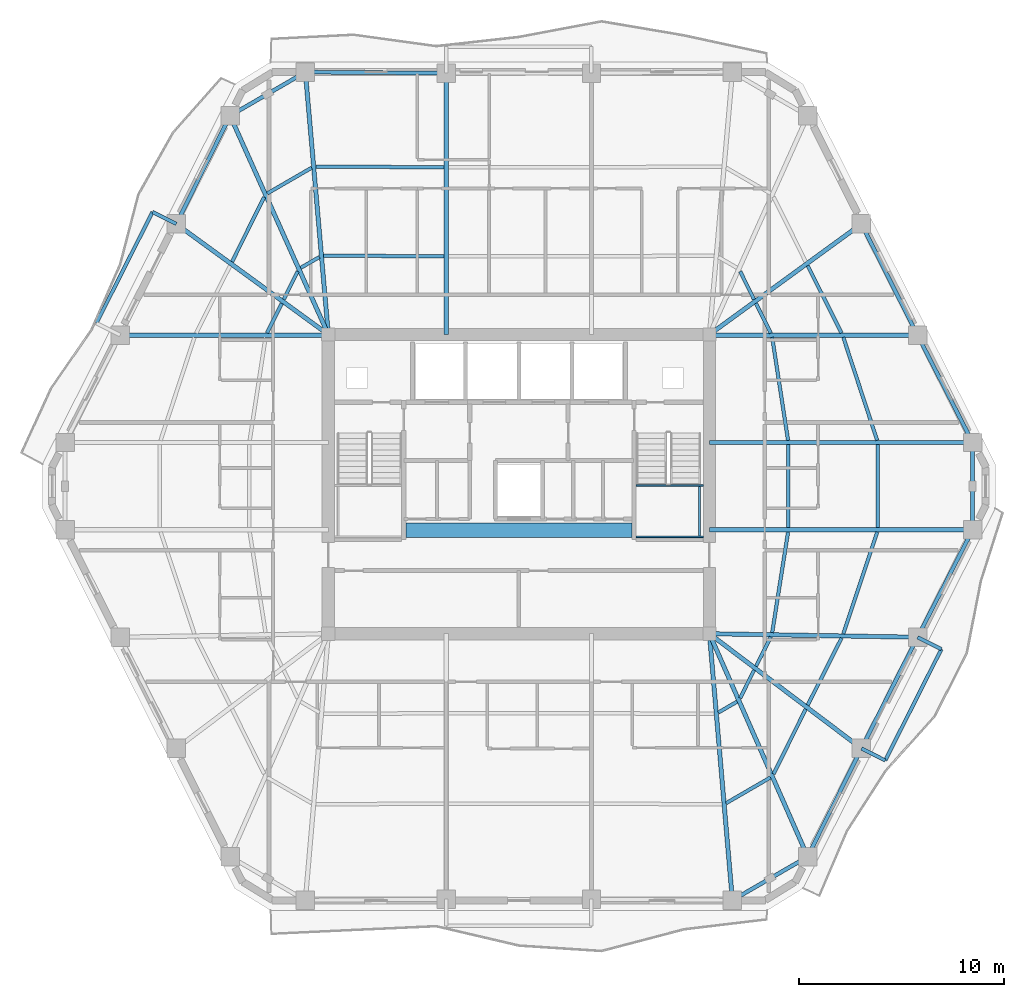
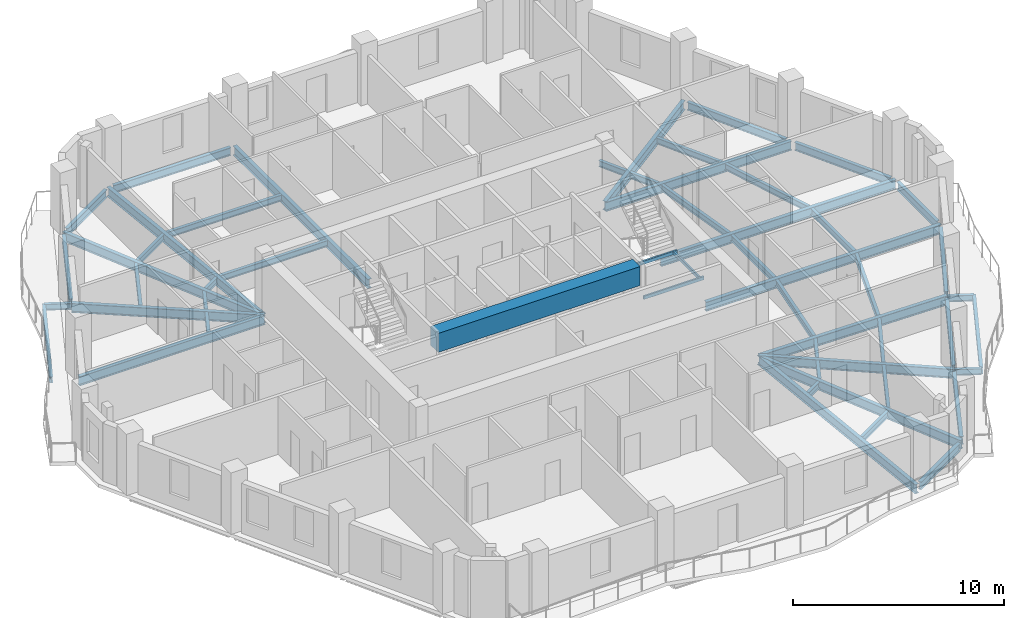
# One storey, part 2 of 10: 54 beams.
"""IFC4 building model written with IfcOpenShell, lengths in metres."""

from ifc_helpers import new_model, si_unit, direction, frame, origin, origin_2d, place, context, subcontext, project, spatial, rectangle, hollow_rectangle, i_section, extrude, material, material_profile, profile_set, type_object, element, save


model = new_model("IFC4")

# Units and contexts
model_context = context("Model", 3, precision=1e-05, world=origin(), true_north=direction((0.0, 1.0)))
body_context = subcontext(model_context, "Body", "Model", "MODEL_VIEW")
ifc_project = project(units=[si_unit("LENGTHUNIT", "METRE"), si_unit("AREAUNIT", "SQUARE_METRE"), si_unit("VOLUMEUNIT", "CUBIC_METRE"), si_unit("PLANEANGLEUNIT", "RADIAN"), si_unit("MASSUNIT", "GRAM", prefix="KILO")], contexts=[model_context])

# Site, building, storey
site_placement = place(None, origin())
site = spatial("IfcSite", under=ifc_project, at=site_placement, CompositionType="ELEMENT")
building_placement = place(site_placement, origin())
building = spatial("IfcBuilding", under=site, at=building_placement, Name="Cinnabar Lancet Tower", CompositionType="ELEMENT")
storey_placement = place(building_placement, frame((0.0, 0.0, 203.85009765625)))
storey = spatial("IfcBuildingStorey", under=building, at=storey_placement, Name="L54", CompositionType="ELEMENT", Elevation=203.85009765625)

# Beams
ifc_material_1 = material(Name="Concrete C70/85", Category="concrete")
ifc_material_profile_1 = material_profile(ifc_material_1, rectangle(XDim=0.699951171875, YDim=1.10009765625, at=origin_2d()), Name="RC-CB 700x1100")
ifc_profile_set_1 = profile_set([ifc_material_profile_1], Name="Concrete C70/85")
beam_type_1 = type_object("IfcBeamType", Name="STR-BM-CB-1100", PredefinedType="BEAM", material=ifc_profile_set_1)
beam_1_placement = place(storey_placement, frame((26.8798828125, 23.64990234375, 2.7998046875), z_axis=(1.0, 0.0, 0.0), x_axis=(0.0, 1.0, 0.0)))
element("IfcBeam", 1, at=beam_1_placement, inside=storey, type_object=beam_type_1, Name="L54 Core Coupling Beam", PredefinedType="BEAM", context=body_context, shape_type="SweptSolid", body=[
    extrude(rectangle(XDim=0.699951171875, YDim=1.10009765625, at=origin_2d()), origin(), (0.0, 0.0, 1.0), 11.0400390625),
])
ifc_material_2 = material(Name="Structural steel S355", Category="steel")
ifc_material_profile_2 = material_profile(ifc_material_2, i_section(OverallWidth=0.17138671875, OverallDepth=0.35498046875, WebThickness=0.00732421875, FlangeThickness=0.011474609375, FilletRadius=0.01025390625, at=origin_2d()), Name="UKB 356x171x51")
ifc_profile_set_2 = profile_set([ifc_material_profile_2], Name="Structural steel S355")
beam_type_2 = type_object("IfcBeamType", Name="STR-BM-JST-356", PredefinedType="JOIST", material=ifc_profile_set_2)
beam_2_placement = place(storey_placement, frame((42.51708984375, 10.3310546875, -0.378173828125), z_axis=(0.865267839663, 0.501309849937, 0.0), x_axis=(-0.501309849937, 0.865267839663, 0.0)))
element("IfcBeam", 2, at=beam_2_placement, inside=storey, type_object=beam_type_2, Name="L54 Secondary Floor Joist 15", PredefinedType="JOIST", context=body_context, shape_type="SweptSolid", body=[
    extrude(i_section(OverallWidth=0.17138671875, OverallDepth=0.35498046875, WebThickness=0.00732421875, FlangeThickness=0.011474609375, FilletRadius=0.01025390625, at=origin_2d()), origin(), (0.0, 0.0, 1.0), 2.497314453125),
])
beam_3_placement = place(storey_placement, frame((42.135986328125, 14.7548828125, -0.378173828125), z_axis=(0.8651881055, 0.501447446998, 0.0), x_axis=(-0.501447446998, 0.8651881055, 0.0)))
element("IfcBeam", 3, at=beam_3_placement, inside=storey, type_object=beam_type_2, Name="L54 Secondary Floor Joist 16", PredefinedType="JOIST", context=body_context, shape_type="SweptSolid", body=[
    extrude(i_section(OverallWidth=0.17138671875, OverallDepth=0.35498046875, WebThickness=0.00732421875, FlangeThickness=0.011474609375, FilletRadius=0.01025390625, at=origin_2d()), origin(), (0.0, 0.0, 1.0), 1.05322265625),
])
beam_4_placement = place(storey_placement, frame((44.8291015625, 11.758056640625, -0.378173828125), z_axis=(0.445027906173, 0.895516701534, 0.0), x_axis=(-0.895516701534, 0.445027906173, 0.0)))
element("IfcBeam", 4, at=beam_4_placement, inside=storey, type_object=beam_type_2, Name="L54 Secondary Floor Joist 17", PredefinedType="JOIST", context=body_context, shape_type="SweptSolid", body=[
    extrude(i_section(OverallWidth=0.17138671875, OverallDepth=0.35498046875, WebThickness=0.00732421875, FlangeThickness=0.011474609375, FilletRadius=0.01025390625, at=origin_2d()), origin(), (0.0, 0.0, 1.0), 3.531982421875),
])
beam_5_placement = place(storey_placement, frame((43.198974609375, 15.45703125, -0.378173828125), z_axis=(0.444589856968, 0.895734256954, 0.0), x_axis=(-0.895734256954, 0.444589856968, 0.0)))
element("IfcBeam", 5, at=beam_5_placement, inside=storey, type_object=beam_type_2, Name="L54 Secondary Floor Joist 18", PredefinedType="JOIST", context=body_context, shape_type="SweptSolid", body=[
    extrude(i_section(OverallWidth=0.17138671875, OverallDepth=0.35498046875, WebThickness=0.00732421875, FlangeThickness=0.011474609375, FilletRadius=0.01025390625, at=origin_2d()), origin(), (0.0, 0.0, 1.0), 1.527099609375),
])
beam_6_placement = place(storey_placement, frame((46.49609375, 15.112060546875, -0.378173828125), z_axis=(0.450564728728, 0.892743762357, 0.0), x_axis=(-0.892743762357, 0.450564728728, 0.0)))
element("IfcBeam", 6, at=beam_6_placement, inside=storey, type_object=beam_type_2, Name="L54 Secondary Floor Joist 19", PredefinedType="JOIST", context=body_context, shape_type="SweptSolid", body=[
    extrude(i_section(OverallWidth=0.17138671875, OverallDepth=0.35498046875, WebThickness=0.00732421875, FlangeThickness=0.011474609375, FilletRadius=0.01025390625, at=origin_2d()), origin(), (0.0, 0.0, 1.0), 3.66845703125),
])
beam_7_placement = place(storey_placement, frame((43.97412109375, 17.014892578125, -0.378173828125), z_axis=(0.450137936259, 0.892959035085, 0.0), x_axis=(-0.892959035085, 0.450137936259, 0.0)))
element("IfcBeam", 7, at=beam_7_placement, inside=storey, type_object=beam_type_2, Name="L54 Secondary Floor Joist 20", PredefinedType="JOIST", context=body_context, shape_type="SweptSolid", body=[
    extrude(i_section(OverallWidth=0.17138671875, OverallDepth=0.35498046875, WebThickness=0.00732421875, FlangeThickness=0.011474609375, FilletRadius=0.01025390625, at=origin_2d()), origin(), (0.0, 0.0, 1.0), 1.6015625),
])
beam_8_placement = place(storey_placement, frame((48.236083984375, 18.594970703125, -0.378173828125), z_axis=(0.315346227037, 0.948976689436, 0.0), x_axis=(-0.948976689436, 0.315346227037, 0.0)))
element("IfcBeam", 8, at=beam_8_placement, inside=storey, type_object=beam_type_2, Name="L54 Secondary Floor Joist 21", PredefinedType="JOIST", context=body_context, shape_type="SweptSolid", body=[
    extrude(i_section(OverallWidth=0.17138671875, OverallDepth=0.35498046875, WebThickness=0.00732421875, FlangeThickness=0.011474609375, FilletRadius=0.01025390625, at=origin_2d()), origin(), (0.0, 0.0, 1.0), 5.235107421875),
])
beam_9_placement = place(storey_placement, frame((44.763916015625, 18.653076171875, -0.378173828125), z_axis=(0.155750702097, 0.987796395416, 0.0), x_axis=(-0.987796395416, 0.155750702097, 0.0)))
element("IfcBeam", 9, at=beam_9_placement, inside=storey, type_object=beam_type_2, Name="L54 Secondary Floor Joist 22", PredefinedType="JOIST", context=body_context, shape_type="SweptSolid", body=[
    extrude(i_section(OverallWidth=0.17138671875, OverallDepth=0.35498046875, WebThickness=0.00732421875, FlangeThickness=0.011474609375, FilletRadius=0.01025390625, at=origin_2d()), origin(), (0.0, 0.0, 1.0), 4.970458984375),
])
for number, where, z_axis, x_axis, name in (
    (10, (49.922119140625, 23.77294921875, -0.378173828125), (0.0, 1.0, 0.0), (-1.0, 0.0, 0.0), "L54 Secondary Floor Joist 23"),
    (11, (45.553955078125, 23.77294921875, -0.378173828125), (0.0, 1.0, 0.0), (-1.0, 0.0, 0.0), "L54 Secondary Floor Joist 24"),
):
    element("IfcBeam", number, at=place(storey_placement, frame(where, z_axis=z_axis, x_axis=x_axis)), inside=storey, type_object=beam_type_2, Name=name, PredefinedType="JOIST", context=body_context, shape_type="SweptSolid", body=[
        extrude(i_section(OverallWidth=0.17138671875, OverallDepth=0.35498046875, WebThickness=0.00732421875, FlangeThickness=0.011474609375, FilletRadius=0.01025390625, at=origin_2d()), origin(), (0.0, 0.0, 1.0), 4.053955078125),
    ])
beam_10_placement = place(storey_placement, frame((49.887939453125, 28.037109375, -0.378173828125), z_axis=(-0.312240109925, 0.95000321776, 0.0), x_axis=(-0.95000321776, -0.312240109925, 0.0)))
element("IfcBeam", 12, at=beam_10_placement, inside=storey, type_object=beam_type_2, Name="L54 Secondary Floor Joist 25", PredefinedType="JOIST", context=body_context, shape_type="SweptSolid", body=[
    extrude(i_section(OverallWidth=0.17138671875, OverallDepth=0.35498046875, WebThickness=0.00732421875, FlangeThickness=0.011474609375, FilletRadius=0.01025390625, at=origin_2d()), origin(), (0.0, 0.0, 1.0), 5.29345703125),
])
beam_11_placement = place(storey_placement, frame((45.5380859375, 28.037109375, -0.378173828125), z_axis=(-0.152154536592, 0.98835671546, 0.0), x_axis=(-0.98835671546, -0.152154536592, 0.0)))
element("IfcBeam", 13, at=beam_11_placement, inside=storey, type_object=beam_type_2, Name="L54 Secondary Floor Joist 26", PredefinedType="JOIST", context=body_context, shape_type="SweptSolid", body=[
    extrude(i_section(OverallWidth=0.17138671875, OverallDepth=0.35498046875, WebThickness=0.00732421875, FlangeThickness=0.011474609375, FilletRadius=0.01025390625, at=origin_2d()), origin(), (0.0, 0.0, 1.0), 5.088134765625),
])
beam_12_placement = place(storey_placement, frame((48.14794921875, 33.27587890625, -0.378173828125), z_axis=(-0.449230875134, 0.893415704376, 0.0), x_axis=(-0.893415704376, -0.449230875134, 0.0)))
element("IfcBeam", 14, at=beam_12_placement, inside=storey, type_object=beam_type_2, Name="L54 Secondary Floor Joist 27", PredefinedType="JOIST", context=body_context, shape_type="SweptSolid", body=[
    extrude(i_section(OverallWidth=0.17138671875, OverallDepth=0.35498046875, WebThickness=0.00732421875, FlangeThickness=0.011474609375, FilletRadius=0.01025390625, at=origin_2d()), origin(), (0.0, 0.0, 1.0), 3.677001953125),
])
beam_13_placement = place(storey_placement, frame((44.695068359375, 33.27587890625, -0.378173828125), z_axis=(-0.446006949597, 0.89502949723, 0.0), x_axis=(-0.89502949723, -0.446006949597, 0.0)))
element("IfcBeam", 15, at=beam_13_placement, inside=storey, type_object=beam_type_2, Name="L54 Secondary Floor Joist 28", PredefinedType="JOIST", context=body_context, shape_type="SweptSolid", body=[
    extrude(i_section(OverallWidth=0.17138671875, OverallDepth=0.35498046875, WebThickness=0.00732421875, FlangeThickness=0.011474609375, FilletRadius=0.01025390625, at=origin_2d()), origin(), (0.0, 0.0, 1.0), 1.619140625),
])
beam_14_placement = place(storey_placement, frame((43.8779296875, 34.9150390625, -0.378173828125), z_axis=(-0.444589856968, 0.895734256954, 0.0), x_axis=(-0.895734256954, -0.444589856968, 0.0)))
element("IfcBeam", 16, at=beam_14_placement, inside=storey, type_object=beam_type_2, Name="L54 Secondary Floor Joist 30", PredefinedType="JOIST", context=body_context, shape_type="SweptSolid", body=[
    extrude(i_section(OverallWidth=0.17138671875, OverallDepth=0.35498046875, WebThickness=0.00732421875, FlangeThickness=0.011474609375, FilletRadius=0.01025390625, at=origin_2d()), origin(), (0.0, 0.0, 1.0), 1.527099609375),
])
beam_15_placement = place(storey_placement, frame((28.751953125, 41.365966796875, -0.378173828125), z_axis=(-0.999986965561, 0.005105752523, 0.0), x_axis=(-0.005105752523, -0.999986965561, 0.0)))
element("IfcBeam", 17, at=beam_15_placement, inside=storey, type_object=beam_type_2, Name="L54 Secondary Floor Joist 37", PredefinedType="JOIST", context=body_context, shape_type="SweptSolid", body=[
    extrude(i_section(OverallWidth=0.17138671875, OverallDepth=0.35498046875, WebThickness=0.00732421875, FlangeThickness=0.011474609375, FilletRadius=0.01025390625, at=origin_2d()), origin(), (0.0, 0.0, 1.0), 6.263916015625),
])
beam_16_placement = place(storey_placement, frame((28.751953125, 37.028076171875, -0.378173828125), z_axis=(-0.999996795933, 0.002531427338, 0.0), x_axis=(-0.002531427338, -0.999996795933, 0.0)))
element("IfcBeam", 18, at=beam_16_placement, inside=storey, type_object=beam_type_2, Name="L54 Secondary Floor Joist 38", PredefinedType="JOIST", context=body_context, shape_type="SweptSolid", body=[
    extrude(i_section(OverallWidth=0.17138671875, OverallDepth=0.35498046875, WebThickness=0.00732421875, FlangeThickness=0.011474609375, FilletRadius=0.01025390625, at=origin_2d()), origin(), (0.0, 0.0, 1.0), 5.883056640625),
])
beam_17_placement = place(storey_placement, frame((22.282958984375, 41.341064453125, -0.378173828125), z_axis=(-0.865267839663, -0.501309849937, 0.0), x_axis=(0.501309849937, -0.865267839663, 0.0)))
element("IfcBeam", 19, at=beam_17_placement, inside=storey, type_object=beam_type_2, Name="L54 Secondary Floor Joist 39", PredefinedType="JOIST", context=body_context, shape_type="SweptSolid", body=[
    extrude(i_section(OverallWidth=0.17138671875, OverallDepth=0.35498046875, WebThickness=0.00732421875, FlangeThickness=0.011474609375, FilletRadius=0.01025390625, at=origin_2d()), origin(), (0.0, 0.0, 1.0), 2.497314453125),
])
beam_18_placement = place(storey_placement, frame((22.6640625, 36.985107421875, -0.378173828125), z_axis=(-0.8651881055, -0.501447446998, 0.0), x_axis=(0.501447446998, -0.8651881055, 0.0)))
element("IfcBeam", 20, at=beam_18_placement, inside=storey, type_object=beam_type_2, Name="L54 Secondary Floor Joist 40", PredefinedType="JOIST", context=body_context, shape_type="SweptSolid", body=[
    extrude(i_section(OverallWidth=0.17138671875, OverallDepth=0.35498046875, WebThickness=0.00732421875, FlangeThickness=0.011474609375, FilletRadius=0.01025390625, at=origin_2d()), origin(), (0.0, 0.0, 1.0), 1.05322265625),
])
beam_19_placement = place(storey_placement, frame((19.970947265625, 39.9150390625, -0.378173828125), z_axis=(-0.444835507887, -0.895612288283, 0.0), x_axis=(0.895612288283, -0.444835507887, 0.0)))
element("IfcBeam", 21, at=beam_19_placement, inside=storey, type_object=beam_type_2, Name="L54 Secondary Floor Joist 41", PredefinedType="JOIST", context=body_context, shape_type="SweptSolid", body=[
    extrude(i_section(OverallWidth=0.17138671875, OverallDepth=0.35498046875, WebThickness=0.00732421875, FlangeThickness=0.011474609375, FilletRadius=0.01025390625, at=origin_2d()), origin(), (0.0, 0.0, 1.0), 3.533935546875),
])
beam_20_placement = place(storey_placement, frame((21.60107421875, 36.282958984375, -0.378173828125), z_axis=(-0.444589856968, -0.895734256954, 0.0), x_axis=(0.895734256954, -0.444589856968, 0.0)))
element("IfcBeam", 22, at=beam_20_placement, inside=storey, type_object=beam_type_2, Name="L54 Secondary Floor Joist 42", PredefinedType="JOIST", context=body_context, shape_type="SweptSolid", body=[
    extrude(i_section(OverallWidth=0.17138671875, OverallDepth=0.35498046875, WebThickness=0.00732421875, FlangeThickness=0.011474609375, FilletRadius=0.01025390625, at=origin_2d()), origin(), (0.0, 0.0, 1.0), 1.527099609375),
])
beam_21_placement = place(storey_placement, frame((20.826904296875, 34.72509765625, -0.378173828125), z_axis=(-0.44588615098, -0.895089682861, 0.0), x_axis=(0.895089682861, -0.44588615098, 0.0)))
element("IfcBeam", 23, at=beam_21_placement, inside=storey, type_object=beam_type_2, Name="L54 Secondary Floor Joist 44", PredefinedType="JOIST", context=body_context, shape_type="SweptSolid", body=[
    extrude(i_section(OverallWidth=0.17138671875, OverallDepth=0.35498046875, WebThickness=0.00732421875, FlangeThickness=0.011474609375, FilletRadius=0.01025390625, at=origin_2d()), origin(), (0.0, 0.0, 1.0), 1.619140625),
])
ifc_material_3 = material(Name="Structural steel S355", Category="steel")
ifc_material_profile_3 = material_profile(ifc_material_3, hollow_rectangle(XDim=0.10009765625, YDim=0.199951171875, WallThickness=0.008056640625, InnerFilletRadius=0.00390625, OuterFilletRadius=0.011962890625, at=origin_2d()), Name="RHS 200x100x8")
ifc_profile_set_3 = profile_set([ifc_material_profile_3], Name="Structural steel S355")
beam_type_3 = type_object("IfcBeamType", Name="STR-BM-LND-203", PredefinedType="BEAM", material=ifc_profile_set_3)
for number, where, z_axis, x_axis, name in (
    (24, (38.1201171875, 23.330078125, 1.474853515625), (1.0, 0.0, 0.0), (0.0, 1.0, 0.0), "L54 ST-2-L54 Landing Support Beam S"),
    (25, (38.1201171875, 25.844970703125, 1.474853515625), (1.0, 0.0, 0.0), (0.0, 1.0, 0.0), "L54 ST-2-L54 Landing Support Beam N"),
):
    element("IfcBeam", number, at=place(storey_placement, frame(where, z_axis=z_axis, x_axis=x_axis)), inside=storey, type_object=beam_type_3, Name=name, PredefinedType="BEAM", context=body_context, shape_type="SweptSolid", body=[
        extrude(hollow_rectangle(XDim=0.10009765625, YDim=0.199951171875, WallThickness=0.008056640625, InnerFilletRadius=0.00390625, OuterFilletRadius=0.011962890625, at=origin_2d()), origin(), (0.0, 0.0, 1.0), 3.27978515625),
    ])
beam_22_placement = place(storey_placement, frame((41.219970703125, 23.3798828125, 1.474853515625), z_axis=(0.0, 1.0, 0.0), x_axis=(-1.0, 0.0, 0.0)))
element("IfcBeam", 26, at=beam_22_placement, inside=storey, type_object=beam_type_3, Name="L54 ST-2-L54 Landing Side Trimmer Beam", PredefinedType="BEAM", context=body_context, shape_type="SweptSolid", body=[
    extrude(hollow_rectangle(XDim=0.10009765625, YDim=0.199951171875, WallThickness=0.008056640625, InnerFilletRadius=0.00390625, OuterFilletRadius=0.011962890625, at=origin_2d()), origin(), (0.0, 0.0, 1.0), 2.4150390625),
])
ifc_material_4 = material(Name="Structural steel S355", Category="steel")
ifc_material_profile_4 = material_profile(ifc_material_4, i_section(OverallWidth=0.1904296875, OverallDepth=0.45703125, WebThickness=0.009033203125, FlangeThickness=0.014404296875, FilletRadius=0.01025390625, at=origin_2d()), Name="UKB 457x191x74")
ifc_profile_set_4 = profile_set([ifc_material_profile_4], Name="Structural steel S355")
beam_type_4 = type_object("IfcBeamType", Name="STR-BM-SPN-457", PredefinedType="SPANDREL", material=ifc_profile_set_4)
beam_23_placement = place(storey_placement, frame((43.037109375, 5.714111328125, -0.427978515625), z_axis=(0.865195717586, 0.501434313016, 0.0), x_axis=(-0.501434313016, 0.865195717586, 0.0)))
element("IfcBeam", 27, at=beam_23_placement, inside=storey, type_object=beam_type_4, Name="L54 Perimeter Spandrel 4", PredefinedType="SPANDREL", context=body_context, shape_type="SweptSolid", body=[
    extrude(i_section(OverallWidth=0.1904296875, OverallDepth=0.45703125, WebThickness=0.009033203125, FlangeThickness=0.014404296875, FilletRadius=0.01025390625, at=origin_2d()), origin(), (0.0, 0.0, 1.0), 3.7470703125),
])
beam_24_placement = place(storey_placement, frame((46.60595703125, 7.94189453125, -0.427978515625), z_axis=(0.444914968367, 0.895572817208, 0.0), x_axis=(-0.895572817208, 0.444914968367, 0.0)))
element("IfcBeam", 28, at=beam_24_placement, inside=storey, type_object=beam_type_4, Name="L54 Perimeter Spandrel 5", PredefinedType="SPANDREL", context=body_context, shape_type="SweptSolid", body=[
    extrude(i_section(OverallWidth=0.1904296875, OverallDepth=0.45703125, WebThickness=0.009033203125, FlangeThickness=0.014404296875, FilletRadius=0.01025390625, at=origin_2d()), origin(), (0.0, 0.0, 1.0), 5.39892578125),
])
beam_25_placement = place(storey_placement, frame((49.23193359375, 13.22412109375, -0.427978515625), z_axis=(0.450395996562, 0.892828900899, 0.0), x_axis=(-0.892828900899, 0.450395996562, 0.0)))
element("IfcBeam", 29, at=beam_25_placement, inside=storey, type_object=beam_type_4, Name="L54 Perimeter Spandrel 6", PredefinedType="SPANDREL", context=body_context, shape_type="SweptSolid", body=[
    extrude(i_section(OverallWidth=0.1904296875, OverallDepth=0.45703125, WebThickness=0.009033203125, FlangeThickness=0.014404296875, FilletRadius=0.01025390625, at=origin_2d()), origin(), (0.0, 0.0, 1.0), 5.579833984375),
])
beam_26_placement = place(storey_placement, frame((51.971923828125, 18.65087890625, -0.427978515625), z_axis=(0.456628362232, 0.889657540184, 0.0), x_axis=(-0.889657540184, 0.456628362232, 0.0)))
element("IfcBeam", 30, at=beam_26_placement, inside=storey, type_object=beam_type_4, Name="L54 Perimeter Spandrel 7", PredefinedType="SPANDREL", context=body_context, shape_type="SweptSolid", body=[
    extrude(i_section(OverallWidth=0.1904296875, OverallDepth=0.45703125, WebThickness=0.009033203125, FlangeThickness=0.014404296875, FilletRadius=0.01025390625, at=origin_2d()), origin(), (0.0, 0.0, 1.0), 5.389892578125),
])
beam_27_placement = place(storey_placement, frame((54.547119140625, 23.91796875, -0.427978515625), z_axis=(0.0, 1.0, 0.0), x_axis=(-1.0, 0.0, 0.0)))
element("IfcBeam", 31, at=beam_27_placement, inside=storey, type_object=beam_type_4, Name="L54 Perimeter Spandrel 8", PredefinedType="SPANDREL", context=body_context, shape_type="SweptSolid", body=[
    extrude(i_section(OverallWidth=0.1904296875, OverallDepth=0.45703125, WebThickness=0.009033203125, FlangeThickness=0.014404296875, FilletRadius=0.01025390625, at=origin_2d()), origin(), (0.0, 0.0, 1.0), 3.763916015625),
])
beam_28_placement = place(storey_placement, frame((54.43310546875, 28.154052734375, -0.427978515625), z_axis=(-0.456646764028, 0.889648094981, 0.0), x_axis=(-0.889648094981, -0.456646764028, 0.0)))
element("IfcBeam", 32, at=beam_28_placement, inside=storey, type_object=beam_type_4, Name="L54 Perimeter Spandrel 9", PredefinedType="SPANDREL", context=body_context, shape_type="SweptSolid", body=[
    extrude(i_section(OverallWidth=0.1904296875, OverallDepth=0.45703125, WebThickness=0.009033203125, FlangeThickness=0.014404296875, FilletRadius=0.01025390625, at=origin_2d()), origin(), (0.0, 0.0, 1.0), 5.3896484375),
])
beam_29_placement = place(storey_placement, frame((51.7451171875, 33.39404296875, -0.427978515625), z_axis=(-0.450395996562, 0.892828900899, 0.0), x_axis=(-0.892828900899, -0.450395996562, 0.0)))
element("IfcBeam", 33, at=beam_29_placement, inside=storey, type_object=beam_type_4, Name="L54 Perimeter Spandrel 10", PredefinedType="SPANDREL", context=body_context, shape_type="SweptSolid", body=[
    extrude(i_section(OverallWidth=0.1904296875, OverallDepth=0.45703125, WebThickness=0.009033203125, FlangeThickness=0.014404296875, FilletRadius=0.01025390625, at=origin_2d()), origin(), (0.0, 0.0, 1.0), 5.579833984375),
])
beam_30_placement = place(storey_placement, frame((28.60693359375, 45.9599609375, -0.427978515625), z_axis=(-0.999970401924, 0.007693846685, 0.0), x_axis=(-0.007693846685, -0.999970401924, 0.0)))
element("IfcBeam", 34, at=beam_30_placement, inside=storey, type_object=beam_type_4, Name="L54 Perimeter Spandrel 15", PredefinedType="SPANDREL", context=body_context, shape_type="SweptSolid", body=[
    extrude(i_section(OverallWidth=0.1904296875, OverallDepth=0.45703125, WebThickness=0.009033203125, FlangeThickness=0.014404296875, FilletRadius=0.01025390625, at=origin_2d()), origin(), (0.0, 0.0, 1.0), 6.378173828125),
])
beam_31_placement = place(storey_placement, frame((21.762939453125, 45.885986328125, -0.427978515625), z_axis=(-0.865195717586, -0.501434313016, 0.0), x_axis=(0.501434313016, -0.865195717586, 0.0)))
element("IfcBeam", 35, at=beam_31_placement, inside=storey, type_object=beam_type_4, Name="L54 Perimeter Spandrel 16", PredefinedType="SPANDREL", context=body_context, shape_type="SweptSolid", body=[
    extrude(i_section(OverallWidth=0.1904296875, OverallDepth=0.45703125, WebThickness=0.009033203125, FlangeThickness=0.014404296875, FilletRadius=0.01025390625, at=origin_2d()), origin(), (0.0, 0.0, 1.0), 3.7470703125),
])
beam_32_placement = place(storey_placement, frame((18.194091796875, 43.657958984375, -0.427978515625), z_axis=(-0.444932986899, -0.895563865489, 0.0), x_axis=(0.895563865489, -0.444932986899, 0.0)))
element("IfcBeam", 36, at=beam_32_placement, inside=storey, type_object=beam_type_4, Name="L54 Perimeter Spandrel 17", PredefinedType="SPANDREL", context=body_context, shape_type="SweptSolid", body=[
    extrude(i_section(OverallWidth=0.1904296875, OverallDepth=0.45703125, WebThickness=0.009033203125, FlangeThickness=0.014404296875, FilletRadius=0.01025390625, at=origin_2d()), origin(), (0.0, 0.0, 1.0), 5.398681640625),
])
ifc_material_5 = material(Name="Structural steel S355", Category="steel")
ifc_material_profile_5 = material_profile(ifc_material_5, i_section(OverallWidth=0.209228515625, OverallDepth=0.533203125, WebThickness=0.010009765625, FlangeThickness=0.015625, FilletRadius=0.0126953125, at=origin_2d()), Name="UKB 533x210x92")
ifc_profile_set_5 = profile_set([ifc_material_profile_5], Name="Structural steel S355")
beam_type_5 = type_object("IfcBeamType", Name="STR-BM-UKB533-92", PredefinedType="BEAM", material=ifc_profile_set_5)
beam_33_placement = place(storey_placement, frame((49.118896484375, 13.0009765625, -0.467041015625), z_axis=(-0.798193439732, 0.602401222417, 0.0), x_axis=(-0.602401222417, -0.798193439732, 0.0)))
element("IfcBeam", 37, at=beam_33_placement, inside=storey, type_object=beam_type_5, Name="L54 Corner Collector Girder 2", PredefinedType="BEAM", context=body_context, shape_type="SweptSolid", body=[
    extrude(i_section(OverallWidth=0.209228515625, OverallDepth=0.533203125, WebThickness=0.010009765625, FlangeThickness=0.015625, FilletRadius=0.0126953125, at=origin_2d()), origin(), (0.0, 0.0, 1.0), 9.294677734375),
])
beam_34_placement = place(storey_placement, frame((49.118896484375, 38.59912109375, -0.467041015625), z_axis=(-0.808550797984, -0.588426382039, 0.0), x_axis=(0.588426382039, -0.808550797984, 0.0)))
element("IfcBeam", 38, at=beam_34_placement, inside=storey, type_object=beam_type_5, Name="L54 Corner Collector Girder 3", PredefinedType="BEAM", context=body_context, shape_type="SweptSolid", body=[
    extrude(i_section(OverallWidth=0.209228515625, OverallDepth=0.533203125, WebThickness=0.010009765625, FlangeThickness=0.015625, FilletRadius=0.0126953125, at=origin_2d()), origin(), (0.0, 0.0, 1.0), 9.175537109375),
])
beam_35_placement = place(storey_placement, frame((15.680908203125, 38.59912109375, -0.467041015625), z_axis=(0.80856001044, -0.588413723087, 0.0), x_axis=(0.588413723087, 0.80856001044, 0.0)))
element("IfcBeam", 39, at=beam_35_placement, inside=storey, type_object=beam_type_5, Name="L54 Corner Collector Girder 4", PredefinedType="BEAM", context=body_context, shape_type="SweptSolid", body=[
    extrude(i_section(OverallWidth=0.209228515625, OverallDepth=0.533203125, WebThickness=0.010009765625, FlangeThickness=0.015625, FilletRadius=0.0126953125, at=origin_2d()), origin(), (0.0, 0.0, 1.0), 9.17578125),
])
beam_36_placement = place(storey_placement, frame((42.821044921875, 5.589111328125, -0.467041015625), z_axis=(-0.085847068729, 0.996308326167, 0.0), x_axis=(-0.996308326167, -0.085847068729, 0.0)))
element("IfcBeam", 40, at=beam_36_placement, inside=storey, type_object=beam_type_5, Name="L54 Primary Floor Girder 4", PredefinedType="BEAM", context=body_context, shape_type="SweptSolid", body=[
    extrude(i_section(OverallWidth=0.209228515625, OverallDepth=0.533203125, WebThickness=0.010009765625, FlangeThickness=0.015625, FilletRadius=0.0126953125, at=origin_2d()), origin(), (0.0, 0.0, 1.0), 13.05908203125),
])
beam_37_placement = place(storey_placement, frame((46.4951171875, 7.718017578125, -0.467041015625), z_axis=(-0.403235299754, 0.915096329919, 0.0), x_axis=(-0.915096329919, -0.403235299754, 0.0)))
element("IfcBeam", 41, at=beam_37_placement, inside=storey, type_object=beam_type_5, Name="L54 Primary Floor Girder 5", PredefinedType="BEAM", context=body_context, shape_type="SweptSolid", body=[
    extrude(i_section(OverallWidth=0.209228515625, OverallDepth=0.533203125, WebThickness=0.010009765625, FlangeThickness=0.015625, FilletRadius=0.0126953125, at=origin_2d()), origin(), (0.0, 0.0, 1.0), 11.891845703125),
])
beam_38_placement = place(storey_placement, frame((51.85791015625, 18.428955078125, -0.467041015625), z_axis=(-0.999858100525, 0.016845735777, 0.0), x_axis=(-0.016845735777, -0.999858100525, 0.0)))
element("IfcBeam", 42, at=beam_38_placement, inside=storey, type_object=beam_type_5, Name="L54 Primary Floor Girder 7", PredefinedType="BEAM", context=body_context, shape_type="SweptSolid", body=[
    extrude(i_section(OverallWidth=0.209228515625, OverallDepth=0.533203125, WebThickness=0.010009765625, FlangeThickness=0.015625, FilletRadius=0.0126953125, at=origin_2d()), origin(), (0.0, 0.0, 1.0), 10.159423828125),
])
for number, where, z_axis, x_axis, name in (
    (43, (54.547119140625, 23.66796875, -0.467041015625), (-1.0, 0.0, 0.0), (0.0, -1.0, 0.0), "L54 Primary Floor Girder 8"),
    (44, (54.547119140625, 27.931884765625, -0.467041015625), (-1.0, 0.0, 0.0), (0.0, -1.0, 0.0), "L54 Primary Floor Girder 9"),
):
    element("IfcBeam", number, at=place(storey_placement, frame(where, z_axis=z_axis, x_axis=x_axis)), inside=storey, type_object=beam_type_5, Name=name, PredefinedType="BEAM", context=body_context, shape_type="SweptSolid", body=[
        extrude(i_section(OverallWidth=0.209228515625, OverallDepth=0.533203125, WebThickness=0.010009765625, FlangeThickness=0.015625, FilletRadius=0.0126953125, at=origin_2d()), origin(), (0.0, 0.0, 1.0), 12.84716796875),
    ])
beam_39_placement = place(storey_placement, frame((51.85791015625, 33.1708984375, -0.467041015625), z_axis=(-1.0, 0.0, 0.0), x_axis=(0.0, -1.0, 0.0)))
element("IfcBeam", 45, at=beam_39_placement, inside=storey, type_object=beam_type_5, Name="L54 Primary Floor Girder 10", PredefinedType="BEAM", context=body_context, shape_type="SweptSolid", body=[
    extrude(i_section(OverallWidth=0.209228515625, OverallDepth=0.533203125, WebThickness=0.010009765625, FlangeThickness=0.015625, FilletRadius=0.0126953125, at=origin_2d()), origin(), (0.0, 0.0, 1.0), 10.157958984375),
])
beam_40_placement = place(storey_placement, frame((28.85693359375, 45.9580078125, -0.467041015625), z_axis=(0.0, -1.0, 0.0), x_axis=(1.0, 0.0, 0.0)))
element("IfcBeam", 46, at=beam_40_placement, inside=storey, type_object=beam_type_5, Name="L54 Primary Floor Girder 15", PredefinedType="BEAM", context=body_context, shape_type="SweptSolid", body=[
    extrude(i_section(OverallWidth=0.209228515625, OverallDepth=0.533203125, WebThickness=0.010009765625, FlangeThickness=0.015625, FilletRadius=0.0126953125, at=origin_2d()), origin(), (0.0, 0.0, 1.0), 12.758056640625),
])
beam_41_placement = place(storey_placement, frame((21.97900390625, 46.010986328125, -0.467041015625), z_axis=(0.087176841412, -0.996192851973, 0.0), x_axis=(0.996192851973, 0.087176841412, 0.0)))
element("IfcBeam", 47, at=beam_41_placement, inside=storey, type_object=beam_type_5, Name="L54 Primary Floor Girder 16", PredefinedType="BEAM", context=body_context, shape_type="SweptSolid", body=[
    extrude(i_section(OverallWidth=0.209228515625, OverallDepth=0.533203125, WebThickness=0.010009765625, FlangeThickness=0.015625, FilletRadius=0.0126953125, at=origin_2d()), origin(), (0.0, 0.0, 1.0), 12.860107421875),
])
beam_42_placement = place(storey_placement, frame((18.304931640625, 43.882080078125, -0.467041015625), z_axis=(0.409527011626, -0.912297992297, 0.0), x_axis=(0.912297992297, 0.409527011626, 0.0)))
element("IfcBeam", 48, at=beam_42_placement, inside=storey, type_object=beam_type_5, Name="L54 Primary Floor Girder 17", PredefinedType="BEAM", context=body_context, shape_type="SweptSolid", body=[
    extrude(i_section(OverallWidth=0.209228515625, OverallDepth=0.533203125, WebThickness=0.010009765625, FlangeThickness=0.015625, FilletRadius=0.0126953125, at=origin_2d()), origin(), (0.0, 0.0, 1.0), 11.708984375),
])
beam_43_placement = place(storey_placement, frame((12.94189453125, 33.1708984375, -0.467041015625), z_axis=(1.0, 0.0, 0.0), x_axis=(0.0, 1.0, 0.0)))
element("IfcBeam", 49, at=beam_43_placement, inside=storey, type_object=beam_type_5, Name="L54 Primary Floor Girder 19", PredefinedType="BEAM", context=body_context, shape_type="SweptSolid", body=[
    extrude(i_section(OverallWidth=0.209228515625, OverallDepth=0.533203125, WebThickness=0.010009765625, FlangeThickness=0.015625, FilletRadius=0.0126953125, at=origin_2d()), origin(), (0.0, 0.0, 1.0), 10.158203125),
])
ifc_material_6 = material(Name="Structural steel S355", Category="steel")
ifc_material_profile_6 = material_profile(ifc_material_6, i_section(OverallWidth=0.17138671875, OverallDepth=0.35498046875, WebThickness=0.00732421875, FlangeThickness=0.011474609375, FilletRadius=0.01025390625, at=origin_2d()), Name="UKB 356x171x51")
ifc_profile_set_6 = profile_set([ifc_material_profile_6], Name="Structural steel S355")
beam_type_6 = type_object("IfcBeamType", Name="STR-BM-WAV-OUT", PredefinedType="BEAM", material=ifc_profile_set_6)
for number, where, z_axis, x_axis, name in (
    (50, (49.118896484375, 13.0009765625, -0.398193359375), (0.892314203325, -0.451414845285, 0.0), (0.451414845285, 0.892314203325, 0.0), "L54 Face 2 Balcony Outlooker A"),
    (51, (51.85791015625, 18.428955078125, -0.398193359375), (0.892314203325, -0.451414845285, 0.0), (0.451414845285, 0.892314203325, 0.0), "L54 Face 2 Balcony Outlooker B"),
    (52, (15.680908203125, 38.59912109375, -0.398193359375), (-0.89227592947, 0.451490493464, 0.0), (-0.451490493464, -0.89227592947, 0.0), "L54 Face 5 Balcony Outlooker A"),
):
    element("IfcBeam", number, at=place(storey_placement, frame(where, z_axis=z_axis, x_axis=x_axis)), inside=storey, type_object=beam_type_6, Name=name, PredefinedType="BEAM", context=body_context, shape_type="SweptSolid", body=[
        extrude(i_section(OverallWidth=0.17138671875, OverallDepth=0.35498046875, WebThickness=0.00732421875, FlangeThickness=0.011474609375, FilletRadius=0.01025390625, at=origin_2d()), origin(), (0.0, 0.0, 1.0), 1.300048828125),
    ])
ifc_material_7 = material(Name="Structural steel S355", Category="steel")
ifc_material_profile_7 = material_profile(ifc_material_7, i_section(OverallWidth=0.17138671875, OverallDepth=0.35498046875, WebThickness=0.00732421875, FlangeThickness=0.011474609375, FilletRadius=0.01025390625, at=origin_2d()), Name="UKB 356x171x51")
ifc_profile_set_7 = profile_set([ifc_material_profile_7], Name="Structural steel S355")
beam_type_7 = type_object("IfcBeamType", Name="STR-BM-WAV-TRIM", PredefinedType="SPANDREL", material=ifc_profile_set_7)
for number, where, z_axis, x_axis, name in (
    (53, (50.279052734375, 12.4140625, -0.398193359375), (0.450503306898, 0.892774759093, 0.0), (-0.892774759093, 0.450503306898, 0.0), "L54 Face 2 Balcony Edge Trimmer"),
    (54, (14.52099609375, 39.18603515625, -0.398193359375), (-0.450503306898, -0.892774759093, 0.0), (0.892774759093, -0.450503306898, 0.0), "L54 Face 5 Balcony Edge Trimmer"),
):
    element("IfcBeam", number, at=place(storey_placement, frame(where, z_axis=z_axis, x_axis=x_axis)), inside=storey, type_object=beam_type_7, Name=name, PredefinedType="SPANDREL", context=body_context, shape_type="SweptSolid", body=[
        extrude(i_section(OverallWidth=0.17138671875, OverallDepth=0.35498046875, WebThickness=0.00732421875, FlangeThickness=0.011474609375, FilletRadius=0.01025390625, at=origin_2d()), origin(), (0.0, 0.0, 1.0), 6.079833984375),
    ])

save(model, "model.ifc")
